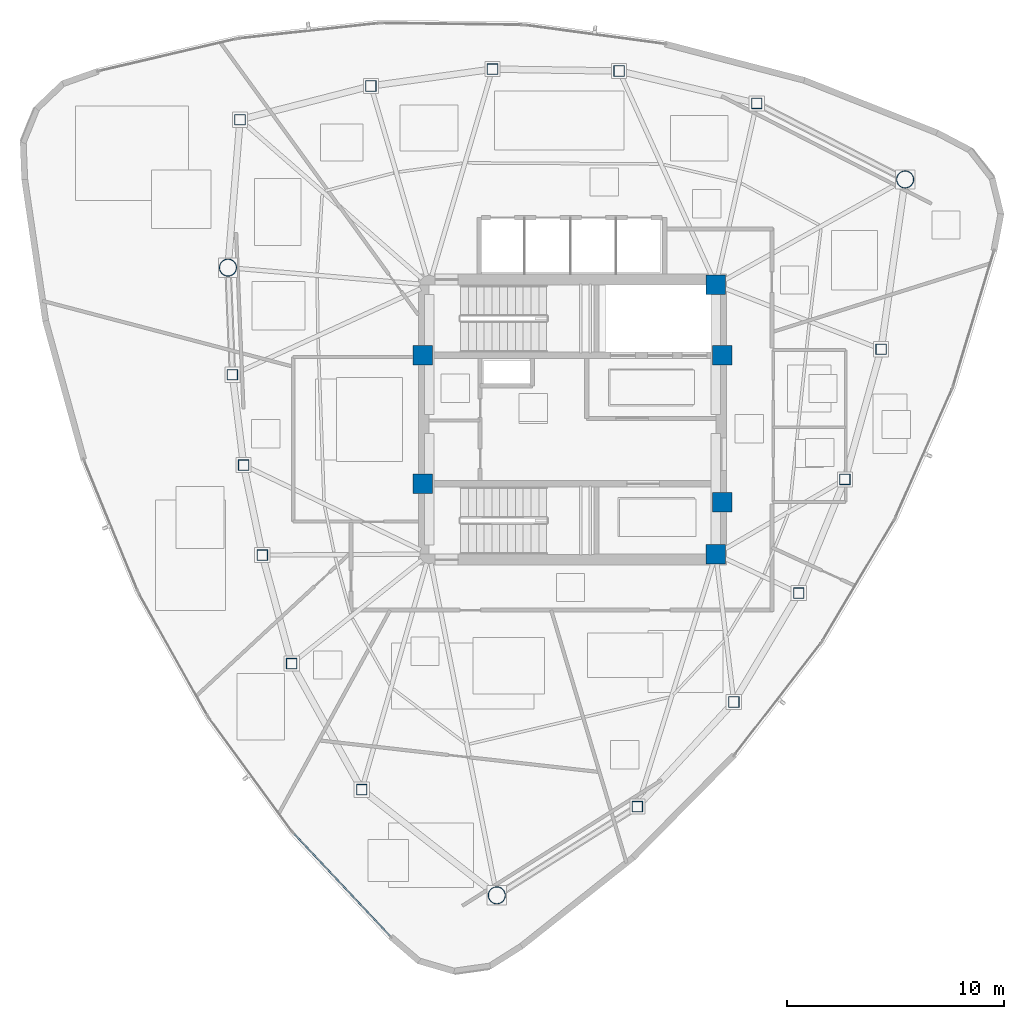
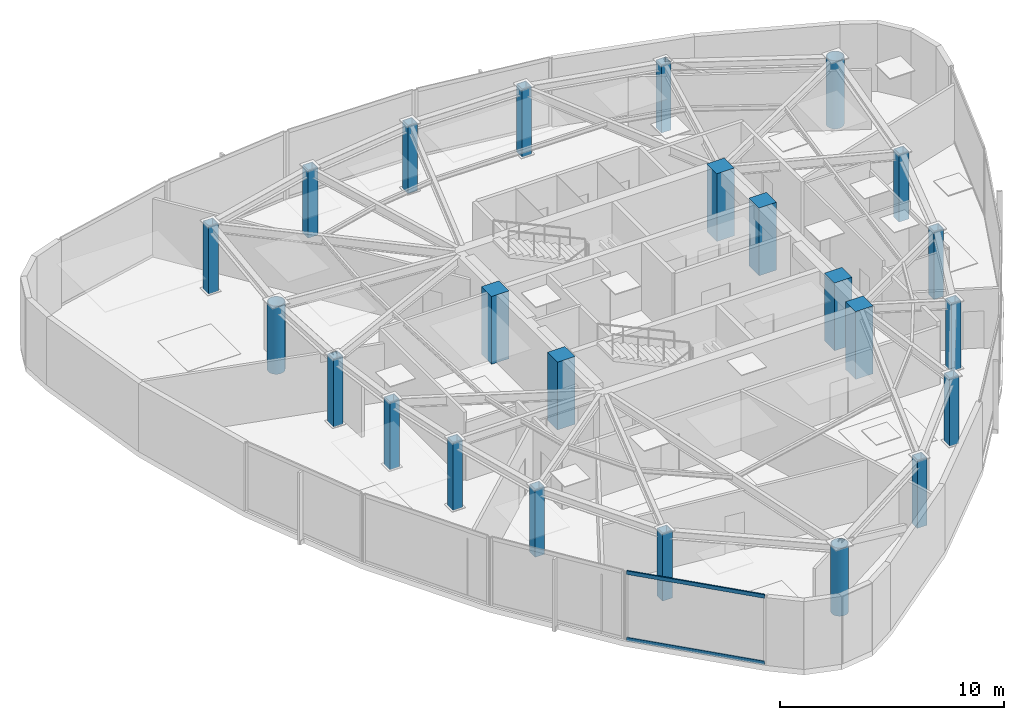
# One storey, part 1 of 12: 24 columns, 2 members, 1 element without a shape of its own.
"""IFC4 building model written with IfcOpenShell, lengths in metres."""

import ifcopenshell
import ifcopenshell.guid

model = None  # the IFC model being written
_history = None  # IfcOwnerHistory: only IFC2X3 demands one
_inside = {}  # id of a spatial element -> (the spatial element, [elements in it])
_under = {}  # id of a project, library or spatial element -> (it, [spatial elements below it])
_declared = {}  # id of a project -> (the project, [libraries it declares])
_typed = {}  # id of a type object -> (the type object, [elements of that type])
_made_of = {}  # id of a material, layer set ... -> (it, [elements and type objects made of it])


def new_model(schema):
    """Start an empty IFC model of exactly this schema.

    Asked for "IFC4X3", IfcOpenShell would pick the latest addendum, in which some entities
    have other attributes; the version numbers below select the first issue.
    IFC2X3 requires an IfcOwnerHistory on every rooted entity: one is made here for all.
    """
    global model, _history
    if schema == "IFC4X3":
        model = ifcopenshell.file(schema_version=(4, 3, 0, 0))
    else:
        model = ifcopenshell.file(schema=schema)
    _inside.clear()
    _under.clear()
    _declared.clear()
    _typed.clear()
    _made_of.clear()
    _history = None
    if model.schema == "IFC2X3":
        org = make("IfcOrganization", Name="unknown")
        user = make(
            "IfcPersonAndOrganization",
            ThePerson=make("IfcPerson", FamilyName="unknown"),
            TheOrganization=org,
        )
        app = make(
            "IfcApplication",
            ApplicationDeveloper=org,
            Version="unknown",
            ApplicationFullName="unknown",
            ApplicationIdentifier="unknown",
        )
        _history = make(
            "IfcOwnerHistory",
            OwningUser=user,
            OwningApplication=app,
            ChangeAction="ADDED",
            CreationDate=0,
        )
    return model


def make(cls, **values):
    """One entity of the class cls with the attributes given. An attribute that is None is left unset."""
    return model.create_entity(
        cls, **{name: value for name, value in values.items() if value is not None}
    )


def rooted(cls, **values):
    """An entity with a GlobalId (a new one), such as an element, a storey or a relation."""
    return make(cls, GlobalId=ifcopenshell.guid.new(), OwnerHistory=_history, **values)


def si_unit(unit_type, name, prefix=None):
    """IfcSIUnit, for example si_unit("LENGTHUNIT", "METRE", prefix="MILLI")."""
    return make("IfcSIUnit", UnitType=unit_type, Prefix=prefix, Name=name)


def assignment(units):
    """IfcUnitAssignment: the units of a project."""
    return None if units is None else make("IfcUnitAssignment", Units=units)


def point(xyz):
    """IfcCartesianPoint."""
    return None if xyz is None else make("IfcCartesianPoint", Coordinates=xyz)


def direction(xyz):
    """IfcDirection."""
    return None if xyz is None else make("IfcDirection", DirectionRatios=xyz)


def frame(location, z_axis=None, x_axis=None):
    """IfcAxis2Placement3D, a coordinate frame: its origin and axes. An axis left out is left unset."""
    return make(
        "IfcAxis2Placement3D",
        Location=point(location),
        Axis=direction(z_axis),
        RefDirection=direction(x_axis),
    )


def frame_2d(location, x_axis=None):
    """IfcAxis2Placement2D, a coordinate frame in the plane: its origin and x axis."""
    return make(
        "IfcAxis2Placement2D", Location=point(location), RefDirection=direction(x_axis)
    )


def origin():
    """The frame at (0, 0, 0) with its axes left unset."""
    return frame((0.0, 0.0, 0.0))


def origin_2d():
    """The frame at (0, 0) in the plane with its x axis left unset."""
    return frame_2d((0.0, 0.0))


def place(relative_to, where):
    """IfcLocalPlacement: puts the frame where relative to a parent placement (None: the world)."""
    return make(
        "IfcLocalPlacement", PlacementRelTo=relative_to, RelativePlacement=where
    )


def context(
    kind, dimensions, precision=None, world=None, true_north=None, identifier=None
):
    """IfcGeometricRepresentationContext, for example the 3D "Model" context."""
    return make(
        "IfcGeometricRepresentationContext",
        ContextIdentifier=identifier,
        ContextType=kind,
        CoordinateSpaceDimension=dimensions,
        Precision=precision,
        WorldCoordinateSystem=world,
        TrueNorth=true_north,
    )


def subcontext(parent, identifier, kind, view, scale=None):
    """IfcGeometricRepresentationSubContext, for example "Body" below "Model"."""
    return make(
        "IfcGeometricRepresentationSubContext",
        ContextIdentifier=identifier,
        ContextType=kind,
        ParentContext=parent,
        TargetScale=scale,
        TargetView=view,
    )


def project(units=None, contexts=None):
    """IfcProject with its units and contexts."""
    return rooted(
        "IfcProject",
        Name="project",
        RepresentationContexts=contexts,
        UnitsInContext=assignment(units),
    )


def spatial(cls, under=None, at=None, **own):
    """A site, building, storey or space (cls), placed at a placement, below another one or the project."""
    s = rooted(cls, ObjectPlacement=at, **own)
    if under is not None:
        _under.setdefault(under.id(), (under, []))[1].append(s)
    return s


def profile(cls, at=None, kind="AREA", **sizes):
    """A parametric profile (cls). Its sizes go by their IFC names, for example OverallWidth=200.0."""
    return make(cls, ProfileType=kind, Position=at, **sizes)


def rectangle(**sizes):
    """IfcRectangleProfileDef."""
    return profile("IfcRectangleProfileDef", **sizes)


def hollow_rectangle(**sizes):
    """IfcRectangleHollowProfileDef."""
    return profile("IfcRectangleHollowProfileDef", **sizes)


def hollow_circle(**sizes):
    """IfcCircleHollowProfileDef."""
    return profile("IfcCircleHollowProfileDef", **sizes)


def extrude(swept, where, along, depth):
    """IfcExtrudedAreaSolid: the profile swept, set in the frame where, extruded along a direction by depth."""
    return make(
        "IfcExtrudedAreaSolid",
        SweptArea=swept,
        Position=where,
        ExtrudedDirection=direction(along),
        Depth=depth,
    )


def shape(context_of_items, identifier, shape_type, items):
    """IfcShapeRepresentation: the items that make up one representation, for example the "Body"."""
    return make(
        "IfcShapeRepresentation",
        ContextOfItems=context_of_items,
        RepresentationIdentifier=identifier,
        RepresentationType=shape_type,
        Items=items,
    )


def source(mapping_origin, context_of_items, identifier, shape_type, items):
    """IfcRepresentationMap: a shape defined once, which mapped items show again and again."""
    return make(
        "IfcRepresentationMap",
        MappingOrigin=mapping_origin,
        MappedRepresentation=shape(context_of_items, identifier, shape_type, items),
    )


def transform(
    local_origin,
    x_axis=None,
    y_axis=None,
    z_axis=None,
    scale=None,
    scale2=None,
    scale3=None,
    uniform=True,
):
    """IfcCartesianTransformationOperator3D, or its non-uniform kind. x_axis, y_axis, z_axis: its Axis1, 2, 3."""
    if uniform:
        return make(
            "IfcCartesianTransformationOperator3D",
            Axis1=direction(x_axis),
            Axis2=direction(y_axis),
            LocalOrigin=point(local_origin),
            Scale=scale,
            Axis3=direction(z_axis),
        )
    return make(
        "IfcCartesianTransformationOperator3DnonUniform",
        Axis1=direction(x_axis),
        Axis2=direction(y_axis),
        LocalOrigin=point(local_origin),
        Scale=scale,
        Axis3=direction(z_axis),
        Scale2=scale2,
        Scale3=scale3,
    )


def mapped(mapping_source, mapping_target):
    """IfcMappedItem: shows the shape of a source again, moved by a transform."""
    return make(
        "IfcMappedItem", MappingSource=mapping_source, MappingTarget=mapping_target
    )


def material(Name=None, Category=None):
    """IfcMaterial."""
    return make("IfcMaterial", Name=Name, Category=Category)


def layer(
    of_material, thickness, ventilated=None, Name=None, Category=None, Priority=None
):
    """IfcMaterialLayer: one layer of a wall or slab, of a material (None: an air gap)."""
    return make(
        "IfcMaterialLayer",
        Material=of_material,
        LayerThickness=thickness,
        IsVentilated=ventilated,
        Name=Name,
        Category=Category,
        Priority=Priority,
    )


def layer_set(layers, Name=None):
    """IfcMaterialLayerSet."""
    return make("IfcMaterialLayerSet", MaterialLayers=layers, LayerSetName=Name)


def material_profile(
    of_material, cross_section, Name=None, Category=None, Priority=None
):
    """IfcMaterialProfile: a cross section and its material."""
    return make(
        "IfcMaterialProfile",
        Name=Name,
        Material=of_material,
        Profile=cross_section,
        Priority=Priority,
        Category=Category,
    )


def profile_set(profiles, Name=None, composite=None):
    """IfcMaterialProfileSet."""
    return make(
        "IfcMaterialProfileSet",
        Name=Name,
        MaterialProfiles=profiles,
        CompositeProfile=composite,
    )


def made_of(thing, what):
    """Note that an element or type object is made of a material, layer set ...; save() writes the relation."""
    if what is not None:
        _made_of.setdefault(what.id(), (what, []))[1].append(thing)
    return thing


def type_object(cls, material=None, **own):
    """A type object (cls), such as IfcWallType, which elements share."""
    return made_of(rooted(cls, **own), material)


def type_shapes(of_type, sources):
    """Give a type object the sources (RepresentationMaps) that its elements show as mapped items."""
    of_type.RepresentationMaps = sources


def element(
    cls,
    number,
    at=None,
    inside=None,
    cuts=None,
    type_object=None,
    material=None,
    context=None,
    identifier="Body",
    shape_type=None,
    held_by="IfcProductDefinitionShape",
    body=None,
    shapes=None,
    **own,
):
    """One element of the class cls, such as IfcWall. Its Tag is "e" and its number.

    at: its placement. inside: the storey or other place that contains it. cuts: it is an
    opening in that element (IfcRelVoidsElement). A single representation is given by context,
    identifier, shape_type and body (its items); several are given by shapes. held_by: the class
    of the entity that holds the representations. save() writes the other relations.
    """
    e = rooted(cls, Tag="e%d" % number, ObjectPlacement=at, **own)
    if body is not None:
        shapes = [shape(context, identifier, shape_type, body)]
    if shapes is not None:
        e.Representation = make(held_by, Representations=shapes)
    if inside is not None:
        _inside.setdefault(inside.id(), (inside, []))[1].append(e)
    if cuts is not None:
        rooted(
            "IfcRelVoidsElement", RelatingBuildingElement=cuts, RelatedOpeningElement=e
        )
    if type_object is not None:
        _typed.setdefault(type_object.id(), (type_object, []))[1].append(e)
    return made_of(e, material)


def aggregate(whole, parts):
    """IfcRelAggregates: a whole, such as a stair, and the parts it consists of."""
    return rooted("IfcRelAggregates", RelatingObject=whole, RelatedObjects=parts)


def save(model, path):
    """Write the relations noted so far, then the file.

    IfcRelAggregates (storeys below a building ...), IfcRelContainedInSpatialStructure (elements
    in a storey), IfcRelDefinesByType, IfcRelAssociatesMaterial and IfcRelDeclares: one each for
    every whole, place, type object, material and project.
    """
    for whole, parts in _under.values():
        aggregate(whole, parts)
    for where, things in _inside.values():
        rooted(
            "IfcRelContainedInSpatialStructure",
            RelatedElements=things,
            RelatingStructure=where,
        )
    for kind, things in _typed.values():
        rooted("IfcRelDefinesByType", RelatedObjects=things, RelatingType=kind)
    for what, things in _made_of.values():
        rooted("IfcRelAssociatesMaterial", RelatedObjects=things, RelatingMaterial=what)
    for by, libraries in _declared.values():
        rooted("IfcRelDeclares", RelatingContext=by, RelatedDefinitions=libraries)
    model.write(path)


model = new_model("IFC4")

# Units and contexts
model_context = context("Model", 3, precision=1e-05, world=origin(), true_north=direction((0.0, 1.0)))
body_context = subcontext(model_context, "Body", "Model", "MODEL_VIEW")
ifc_project = project(units=[si_unit("LENGTHUNIT", "METRE"), si_unit("AREAUNIT", "SQUARE_METRE"), si_unit("VOLUMEUNIT", "CUBIC_METRE"), si_unit("PLANEANGLEUNIT", "RADIAN"), si_unit("MASSUNIT", "GRAM", prefix="KILO")], contexts=[model_context])

# Site, building, storey
site_placement = place(None, origin())
site = spatial("IfcSite", under=ifc_project, at=site_placement, CompositionType="ELEMENT")
building_placement = place(site_placement, origin())
building = spatial("IfcBuilding", under=site, at=building_placement, Name="Tavelor Broadcast Tower", CompositionType="ELEMENT")
storey_placement = place(building_placement, frame((0.0, 0.0, 277.5)))
storey = spatial("IfcBuildingStorey", under=building, at=storey_placement, Name="L66", CompositionType="ELEMENT", Elevation=277.5)

# Columns
ifc_material_1 = material(Name="Concrete C50/60", Category="concrete")
ifc_material_profile_1 = material_profile(ifc_material_1, rectangle(XDim=0.89990234375, YDim=0.89990234375, at=origin_2d()), Name="RC 900x900")
ifc_profile_set_1 = profile_set([ifc_material_profile_1], Name="Concrete C50/60")
column_type_1 = type_object("IfcColumnType", Name="Core Embedded Composite Column RC900", PredefinedType="COLUMN", material=ifc_profile_set_1)
for number, where, z_axis, x_axis, name in (
    (1, (43.10009765625, 47.949951171875, 0.0), (0.0, 0.0, 1.0), (1.0, 0.0, 0.0), "L66 Core Embedded Column 1"),
    (2, (56.89990234375, 47.949951171875, 0.0), (0.0, 0.0, 1.0), (1.0, 0.0, 0.0), "L66 Core Embedded Column 2"),
    (3, (56.60009765625, 51.199951171875, 0.0), (0.0, 0.0, 1.0), (1.0, 0.0, 0.0), "L66 Core Embedded Column 3"),
    (4, (43.10009765625, 42.050048828125, 0.0), (0.0, 0.0, 1.0), (1.0, 0.0, 0.0), "L66 Core Embedded Column 4"),
    (5, (56.89990234375, 41.199951171875, 0.0), (0.0, 0.0, 1.0), (1.0, 0.0, 0.0), "L66 Core Embedded Column 5"),
    (6, (56.60009765625, 38.800048828125, 0.0), (0.0, 0.0, 1.0), (1.0, 0.0, 0.0), "L66 Core Embedded Column 6"),
):
    element("IfcColumn", number, at=place(storey_placement, frame(where, z_axis=z_axis, x_axis=x_axis)), inside=storey, type_object=column_type_1, Name=name, PredefinedType="COLUMN", context=body_context, shape_type="SweptSolid", body=[
        extrude(rectangle(XDim=0.89990234375, YDim=0.89990234375, at=origin_2d()), origin(), (0.0, 0.0, 1.0), 3.699951171875),
    ])
ifc_material_2 = material(Name="Steel S460", Category="steel")
ifc_material_profile_2 = material_profile(ifc_material_2, hollow_rectangle(XDim=0.5, YDim=0.5, WallThickness=0.030029296875, at=origin_2d()), Name="SHS 500x500x30")
ifc_profile_set_2 = profile_set([ifc_material_profile_2], Name="Steel S460")
column_type_2 = type_object("IfcColumnType", Name="Perimeter Tube Column T7 SHS 500x500x30", PredefinedType="COLUMN", material=ifc_profile_set_2)
for number, where, z_axis, x_axis, name in (
    (7, (34.341552734375, 47.061279296875, 0.0), (0.0, 0.0, 1.0), (1.0, 0.0, 0.0), "L66 Perimeter Framed-Tube Column 02"),
    (8, (34.85400390625, 42.90185546875, 0.0), (0.0, 0.0, 1.0), (1.0, 0.0, 0.0), "L66 Perimeter Framed-Tube Column 03"),
    (9, (35.716552734375, 38.757080078125, 0.0), (0.0, 0.0, 1.0), (1.0, 0.0, 0.0), "L66 Perimeter Framed-Tube Column 04"),
    (10, (37.068115234375, 33.759521484375, 0.0), (0.0, 0.0, 1.0), (1.0, 0.0, 0.0), "L66 Perimeter Framed-Tube Column 05"),
    (11, (40.29638671875, 27.95361328125, 0.0), (0.0, 0.0, 1.0), (1.0, 0.0, 0.0), "L66 Perimeter Framed-Tube Column 06"),
    (12, (52.992919921875, 27.1767578125, 0.0), (0.0, 0.0, 1.0), (1.0, 0.0, 0.0), "L66 Perimeter Framed-Tube Column 08"),
    (13, (57.431396484375, 31.9921875, 0.0), (0.0, 0.0, 1.0), (1.0, 0.0, 0.0), "L66 Perimeter Framed-Tube Column 09"),
    (14, (60.41748046875, 37.00439453125, 0.0), (0.0, 0.0, 1.0), (1.0, 0.0, 0.0), "L66 Perimeter Framed-Tube Column 10"),
    (15, (62.543701171875, 42.240478515625, 0.0), (0.0, 0.0, 1.0), (1.0, 0.0, 0.0), "L66 Perimeter Framed-Tube Column 11"),
    (16, (64.21435546875, 48.2373046875, 0.0), (0.0, 0.0, 1.0), (1.0, 0.0, 0.0), "L66 Perimeter Framed-Tube Column 12"),
    (17, (58.485595703125, 59.55712890625, 0.0), (0.0, 0.0, 1.0), (1.0, 0.0, 0.0), "L66 Perimeter Framed-Tube Column 14"),
    (18, (52.147216796875, 61.05078125, 0.0), (0.0, 0.0, 1.0), (1.0, 0.0, 0.0), "L66 Perimeter Framed-Tube Column 15"),
    (19, (46.3154296875, 61.13720703125, 0.0), (0.0, 0.0, 1.0), (1.0, 0.0, 0.0), "L66 Perimeter Framed-Tube Column 16"),
    (20, (40.718017578125, 60.36083984375, 0.0), (0.0, 0.0, 1.0), (1.0, 0.0, 0.0), "L66 Perimeter Framed-Tube Column 17"),
    (21, (34.689208984375, 58.80908203125, 0.0), (0.0, 0.0, 1.0), (1.0, 0.0, 0.0), "L66 Perimeter Framed-Tube Column 18"),
):
    element("IfcColumn", number, at=place(storey_placement, frame(where, z_axis=z_axis, x_axis=x_axis)), inside=storey, type_object=column_type_2, Name=name, PredefinedType="COLUMN", context=body_context, shape_type="SweptSolid", body=[
        extrude(hollow_rectangle(XDim=0.5, YDim=0.5, WallThickness=0.030029296875, at=origin_2d()), origin(), (0.0, 0.0, 1.0), 3.699951171875),
    ])
ifc_material_profile_3 = material_profile(ifc_material_2, hollow_circle(Radius=0.406494140625, WallThickness=0.035888671875, at=origin_2d()), Name="CHS 813x36")
ifc_profile_set_3 = profile_set([ifc_material_profile_3], Name="Steel S460")
column_type_3 = type_object("IfcColumnType", Name="Tower Mega Column T7 CHS 813x36", PredefinedType="COLUMN", material=ifc_profile_set_3)
for number, where, z_axis, x_axis, name in (
    (22, (34.134765625, 51.995849609375, 0.0), (0.0, 0.0, 1.0), (1.0, 0.0, 0.0), "L66 Tower Corner Mega Column 01"),
    (23, (46.5146484375, 23.08740234375, 0.0), (0.0, 0.0, 1.0), (1.0, 0.0, 0.0), "L66 Tower Corner Mega Column 07"),
    (24, (65.319580078125, 56.0556640625, 0.0), (0.0, 0.0, 1.0), (1.0, 0.0, 0.0), "L66 Tower Corner Mega Column 13"),
):
    element("IfcColumn", number, at=place(storey_placement, frame(where, z_axis=z_axis, x_axis=x_axis)), inside=storey, type_object=column_type_3, Name=name, PredefinedType="COLUMN", context=body_context, shape_type="SweptSolid", body=[
        extrude(hollow_circle(Radius=0.406494140625, WallThickness=0.035888671875, at=origin_2d()), origin(), (0.0, 0.0, 1.0), 3.699951171875),
    ])

# Curtain wall, members
ifc_material_3 = material(Name="Architectural Anodized Aluminium", Category="aluminium")
ifc_layer = layer(ifc_material_3, 0.199951171875)
ifc_layer_set = layer_set([ifc_layer], Name="Architectural Anodized Aluminium")
curtain_wall_type = type_object("IfcCurtainWallType", Name="Tower High-Zone Triple-Glazed Curtain Wall CW04", PredefinedType="NOTDEFINED", material=ifc_layer_set)
curtain_wall_placement = place(storey_placement, origin())
curtain_wall = element("IfcCurtainWall", 25, at=curtain_wall_placement, inside=storey, type_object=curtain_wall_type, Name="L66 Curtain Wall CW04 Run 724", PredefinedType="NOTDEFINED")
ifc_material_profile_4 = material_profile(ifc_material_3, hollow_rectangle(XDim=0.070068359375, YDim=0.199951171875, WallThickness=0.02197265625, at=origin_2d()), Name="RHS 70x200x22")
ifc_profile_set_4 = profile_set([ifc_material_profile_4], Name="Architectural Anodized Aluminium")
member_type = type_object("IfcMemberType", Name="CW04 Extruded Aluminium Transom 70x200", PredefinedType="USERDEFINED", material=ifc_profile_set_4)
shared_shape = source(origin(), body_context, "Body", "SweptSolid", [
    extrude(hollow_rectangle(XDim=0.070068359375, YDim=0.199951171875, WallThickness=0.02197265625, at=origin_2d()), origin(), (0.0, 0.0, 1.0), 6.44482421875),
])
type_shapes(member_type, [shared_shape])
member_1_placement = place(storey_placement, frame((37.176513671875, 25.926513671875, 0.034912109375), z_axis=(0.684227121868, -0.72926898035, 0.0), x_axis=(0.72926898035, 0.684227121868, 0.0)))
member_1 = element("IfcMember", 26, at=member_1_placement, type_object=member_type, Name="CW04 transom 1.1", ObjectType="TRANSOM", PredefinedType="USERDEFINED", context=body_context, shape_type="MappedRepresentation", body=[
    mapped(shared_shape, transform((0.0, 0.0, 0.0), scale=1.0)),
])
member_2_placement = place(storey_placement, frame((37.176513671875, 25.926513671875, 3.6650390625), z_axis=(0.684227121868, -0.72926898035, 0.0), x_axis=(0.72926898035, 0.684227121868, 0.0)))
member_2 = element("IfcMember", 27, at=member_2_placement, type_object=member_type, Name="CW04 transom 1.2", ObjectType="TRANSOM", PredefinedType="USERDEFINED", context=body_context, shape_type="MappedRepresentation", body=[
    mapped(shared_shape, transform((0.0, 0.0, 0.0), scale=1.0)),
])
aggregate(curtain_wall, [member_1, member_2])

save(model, "model.ifc")
